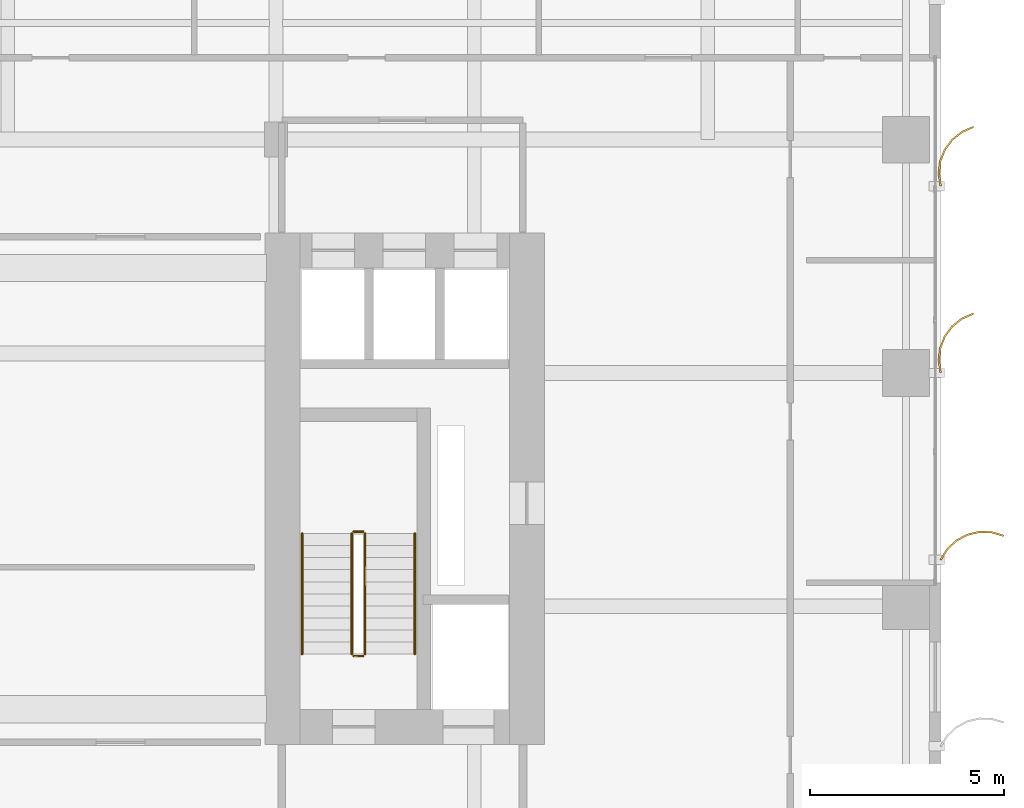
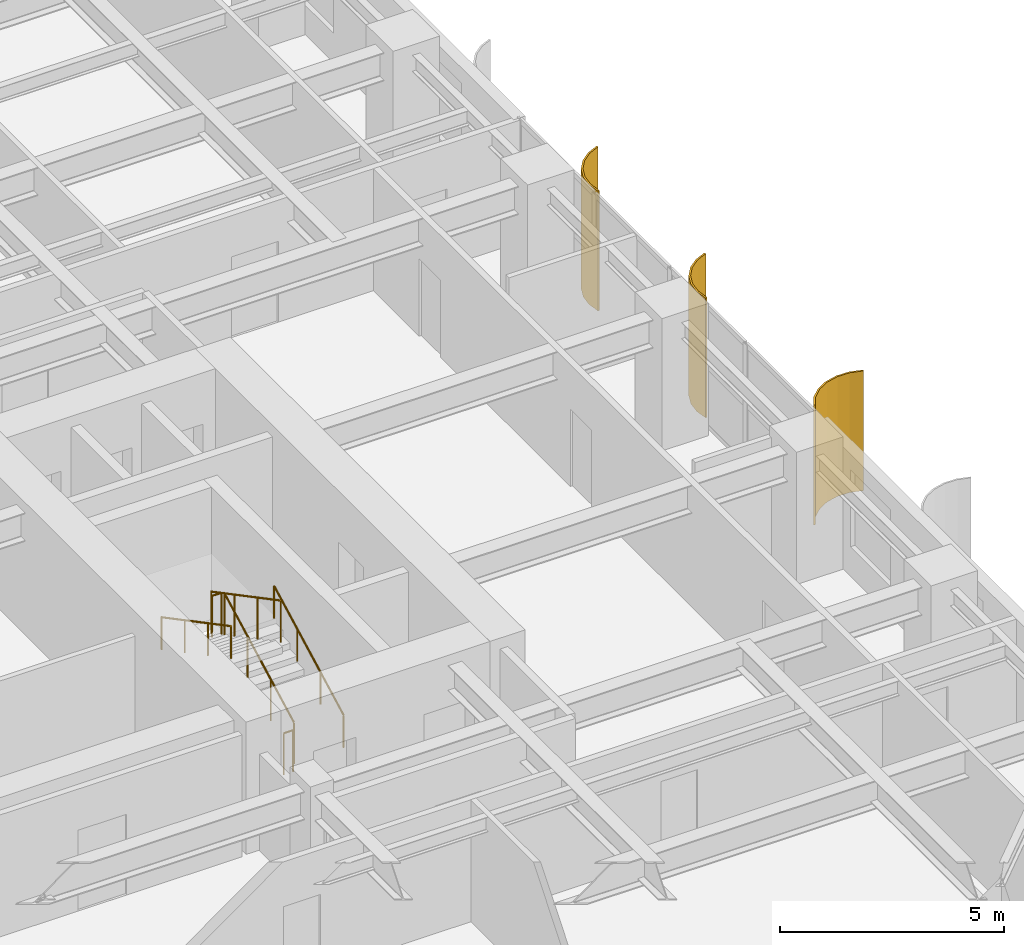
# One storey, part 15 of 16: 6 railings, 3 shading devices.
"""IFC4 building model written with IfcOpenShell, lengths in metres."""

from ifc_helpers import new_model, si_unit, direction, frame, origin, origin_2d, place, context, subcontext, project, spatial, polyline, circle, outline, extrude, source, transform, mapped, material, layer, layer_set, type_object, element, save


model = new_model("IFC4")

# Units and contexts
model_context = context("Model", 3, precision=1e-05, world=origin(), true_north=direction((0.0, 1.0)))
body_context = subcontext(model_context, "Body", "Model", "MODEL_VIEW")
ifc_project = project(units=[si_unit("LENGTHUNIT", "METRE"), si_unit("AREAUNIT", "SQUARE_METRE"), si_unit("VOLUMEUNIT", "CUBIC_METRE"), si_unit("PLANEANGLEUNIT", "RADIAN"), si_unit("MASSUNIT", "GRAM", prefix="KILO")], contexts=[model_context])

# Site, building, storey
site_placement = place(None, origin())
site = spatial("IfcSite", under=ifc_project, at=site_placement, CompositionType="ELEMENT")
building_placement = place(site_placement, origin())
building = spatial("IfcBuilding", under=site, at=building_placement, Name="Khoralis Quay Care Tower", CompositionType="ELEMENT")
storey_placement = place(building_placement, frame((0.0, 0.0, 29.699951171875)))
storey = spatial("IfcBuildingStorey", under=building, at=storey_placement, Name="L07", CompositionType="ELEMENT", Elevation=29.699951171875)

# Railings
ifc_material_1 = material(Name="Brushed stainless steel", Category="steel")
railing_type_1 = type_object("IfcRailingType", Name="RL-GUARD-1150", PredefinedType="GUARDRAIL", material=ifc_material_1)
railing_1_placement = place(storey_placement, frame((33.18994140625, 16.77001953125, 0.16357421875)))
element("IfcRailing", 1, at=railing_1_placement, inside=storey, type_object=railing_type_1, Name="L07 ST-T2 stair guard 1", PredefinedType="GUARDRAIL", context=body_context, shape_type="SweptSolid", body=[
    extrude(circle(Radius=0.02392578125, at=origin_2d()), frame((0.0, 0.0, 1.1259765625), z_axis=(0.0, 0.884348015382, 0.466828220752), x_axis=(-1.0, 0.0, 0.0)), (0.0, 0.0, 1.0), 3.505615234375),
    extrude(circle(Radius=0.02099609375, at=origin_2d()), origin(), (0.0, 0.0, 1.0), 1.101806640625),
    extrude(circle(Radius=0.02099609375, at=origin_2d()), frame((0.0, 1.033447265625, 0.54541015625)), (0.0, 0.0, 1.0), 1.101806640625),
    extrude(circle(Radius=0.02099609375, at=origin_2d()), frame((0.0, 2.066650390625, 1.091064453125)), (0.0, 0.0, 1.0), 1.101806640625),
    extrude(circle(Radius=0.02099609375, at=origin_2d()), frame((0.0, 3.10009765625, 1.636474609375)), (0.0, 0.0, 1.0), 1.101806640625),
])
railing_2_placement = place(storey_placement, frame((33.139892578125, 19.919921875, 1.800048828125)))
element("IfcRailing", 2, at=railing_2_placement, inside=storey, type_object=railing_type_1, Name="L07 ST-T2 stair guard 2", PredefinedType="GUARDRAIL", context=body_context, shape_type="SweptSolid", body=[
    extrude(circle(Radius=0.02392578125, at=origin_2d()), frame((0.0, 0.0, 1.1259765625), z_axis=(-1.0, 0.0, 0.0), x_axis=(0.0, -1.0, 0.0)), (0.0, 0.0, 1.0), 0.239990234375),
    extrude(circle(Radius=0.02099609375, at=origin_2d()), origin(), (0.0, 0.0, 1.0), 1.101806640625),
    extrude(circle(Radius=0.02099609375, at=origin_2d()), frame((-0.239990234375, 0.0, 0.0)), (0.0, 0.0, 1.0), 1.101806640625),
])
railing_3_placement = place(storey_placement, frame((32.85009765625, 19.8701171875, 1.963623046875)))
element("IfcRailing", 3, at=railing_3_placement, inside=storey, type_object=railing_type_1, Name="L07 ST-T2 stair guard 3", PredefinedType="GUARDRAIL", context=body_context, shape_type="SweptSolid", body=[
    extrude(circle(Radius=0.02392578125, at=origin_2d()), frame((0.0, 0.0, 1.1259765625), z_axis=(0.0, -0.884348015382, 0.466828220752), x_axis=(1.0, 0.0, 0.0)), (0.0, 0.0, 1.0), 3.505615234375),
    extrude(circle(Radius=0.02099609375, at=origin_2d()), origin(), (0.0, 0.0, 1.0), 1.101806640625),
    extrude(circle(Radius=0.02099609375, at=origin_2d()), frame((0.0, -1.033447265625, 0.54541015625)), (0.0, 0.0, 1.0), 1.101806640625),
    extrude(circle(Radius=0.02099609375, at=origin_2d()), frame((0.0, -2.066650390625, 1.091064453125)), (0.0, 0.0, 1.0), 1.101806640625),
    extrude(circle(Radius=0.02099609375, at=origin_2d()), frame((0.0, -3.10009765625, 1.636474609375)), (0.0, 0.0, 1.0), 1.101806640625),
])
railing_4_placement = place(storey_placement, frame((33.139892578125, 16.719970703125, 0.0)))
element("IfcRailing", 4, at=railing_4_placement, inside=storey, type_object=railing_type_1, Name="L07 ST-T2 stair guard 4", PredefinedType="GUARDRAIL", context=body_context, shape_type="SweptSolid", body=[
    extrude(circle(Radius=0.02392578125, at=origin_2d()), frame((0.0, 0.0, 1.1259765625), z_axis=(-1.0, 0.0, 0.0), x_axis=(0.0, -1.0, 0.0)), (0.0, 0.0, 1.0), 0.239990234375),
    extrude(circle(Radius=0.02099609375, at=origin_2d()), origin(), (0.0, 0.0, 1.0), 1.101806640625),
    extrude(circle(Radius=0.02099609375, at=origin_2d()), frame((-0.239990234375, 0.0, 0.0)), (0.0, 0.0, 1.0), 1.101806640625),
])
railing_type_2 = type_object("IfcRailingType", Name="RL-HAND-900", PredefinedType="HANDRAIL", material=ifc_material_1)
railing_5_placement = place(storey_placement, frame((34.469970703125, 16.77001953125, 0.16357421875)))
element("IfcRailing", 5, at=railing_5_placement, inside=storey, type_object=railing_type_2, Name="L07 ST-T2 stair handrail 1", PredefinedType="HANDRAIL", context=body_context, shape_type="SweptSolid", body=[
    extrude(circle(Radius=0.02392578125, at=origin_2d()), frame((0.0, 0.0, 0.8759765625), z_axis=(0.0, 0.884348015382, 0.466828220752), x_axis=(-1.0, 0.0, 0.0)), (0.0, 0.0, 1.0), 3.505615234375),
    extrude(circle(Radius=0.02099609375, at=origin_2d()), origin(), (0.0, 0.0, 1.0), 0.851806640625),
    extrude(circle(Radius=0.02099609375, at=origin_2d()), frame((0.0, 1.033447265625, 0.54541015625)), (0.0, 0.0, 1.0), 0.851806640625),
    extrude(circle(Radius=0.02099609375, at=origin_2d()), frame((0.0, 2.066650390625, 1.091064453125)), (0.0, 0.0, 1.0), 0.851806640625),
    extrude(circle(Radius=0.02099609375, at=origin_2d()), frame((0.0, 3.10009765625, 1.636474609375)), (0.0, 0.0, 1.0), 0.851806640625),
])
railing_6_placement = place(storey_placement, frame((31.570068359375, 19.8701171875, 1.963623046875)))
element("IfcRailing", 6, at=railing_6_placement, inside=storey, type_object=railing_type_2, Name="L07 ST-T2 stair handrail 2", PredefinedType="HANDRAIL", context=body_context, shape_type="SweptSolid", body=[
    extrude(circle(Radius=0.02392578125, at=origin_2d()), frame((0.0, 0.0, 0.8759765625), z_axis=(0.0, -0.884348015382, 0.466828220752), x_axis=(1.0, 0.0, 0.0)), (0.0, 0.0, 1.0), 3.505615234375),
    extrude(circle(Radius=0.02099609375, at=origin_2d()), origin(), (0.0, 0.0, 1.0), 0.851806640625),
    extrude(circle(Radius=0.02099609375, at=origin_2d()), frame((0.0, -1.033447265625, 0.54541015625)), (0.0, 0.0, 1.0), 0.851806640625),
    extrude(circle(Radius=0.02099609375, at=origin_2d()), frame((0.0, -2.066650390625, 1.091064453125)), (0.0, 0.0, 1.0), 0.851806640625),
    extrude(circle(Radius=0.02099609375, at=origin_2d()), frame((0.0, -3.10009765625, 1.636474609375)), (0.0, 0.0, 1.0), 0.851806640625),
])

# Shading devices
ifc_material_2 = material(Name="Brushed pale anodised aluminium", Category="aluminium")
ifc_layer = layer(ifc_material_2, 0.044921875)
ifc_layer_set = layer_set([ifc_layer], Name="Brushed pale anodised aluminium")
shading_device_type = type_object("IfcShadingDeviceType", Name="SHD-FIN-1250", PredefinedType="USERDEFINED", material=ifc_layer_set)
shared_shape_1 = source(origin(), body_context, "Body", "SweptSolid", [
    extrude(outline(polyline([(0.0, 0.0), (0.17041015625, 0.2783203125), (0.4072265625, 0.5029296875), (0.694091796875, 0.658447265625), (1.01123046875, 0.734619140625), (1.33740234375, 0.72607421875), (1.650390625, 0.633544921875), (1.632080078125, 0.59228515625), (1.330322265625, 0.681640625), (1.015869140625, 0.68994140625), (0.710205078125, 0.616455078125), (0.43359375, 0.466552734375), (0.20556640625, 0.25), (0.041015625, -0.018310546875), (0.0, 0.0)])), origin(), (0.0, 0.0, 1.0), 3.260009765625),
])
shading_device_placement = place(storey_placement, frame((47.969970703125, 19.199951171875, 0.02001953125), z_axis=(0.0, 0.0, 1.0), x_axis=(1.0, 0.0, 0.0)))
element("IfcShadingDevice", 7, at=shading_device_placement, inside=storey, type_object=shading_device_type, Name="L07 Curved Solar Fin P1E5-03", ObjectType="FIN", PredefinedType="USERDEFINED", context=body_context, shape_type="MappedRepresentation", body=[
    mapped(shared_shape_1, transform((0.0, 0.0, 0.0), scale=1.0)),
])
shared_shape_2 = source(origin(), body_context, "Body", "SweptSolid", [
    extrude(outline(polyline([(0.0, 0.0), (-0.04833984375, 0.32275390625), (-0.01123046875, 0.64697265625), (0.1083984375, 0.950439453125), (0.302490234375, 1.212890625), (0.557861328125, 1.416015625), (0.85693359375, 1.546142578125), (0.869384765625, 1.5029296875), (0.5810546875, 1.37744140625), (0.334716796875, 1.181640625), (0.147705078125, 0.9287109375), (0.032470703125, 0.635986328125), (-0.003173828125, 0.323486328125), (0.043212890625, 0.012451171875), (0.0, 0.0)])), origin(), (0.0, 0.0, 1.0), 3.260009765625),
])
for number, where, z_axis, x_axis, name in (
    (8, (47.969970703125, 24.0, 0.02001953125), (0.0, 0.0, 1.0), (1.0, 0.0, 0.0), "L07 Curved Solar Fin P1E5-04"),
    (9, (47.969970703125, 28.800048828125, 0.02001953125), (0.0, 0.0, 1.0), (1.0, 0.0, 0.0), "L07 Curved Solar Fin P1E5-05"),
):
    element("IfcShadingDevice", number, at=place(storey_placement, frame(where, z_axis=z_axis, x_axis=x_axis)), inside=storey, type_object=shading_device_type, Name=name, ObjectType="FIN", PredefinedType="USERDEFINED", context=body_context, shape_type="MappedRepresentation", body=[
        mapped(shared_shape_2, transform((0.0, 0.0, 0.0), scale=1.0)),
    ])

save(model, "model.ifc")
